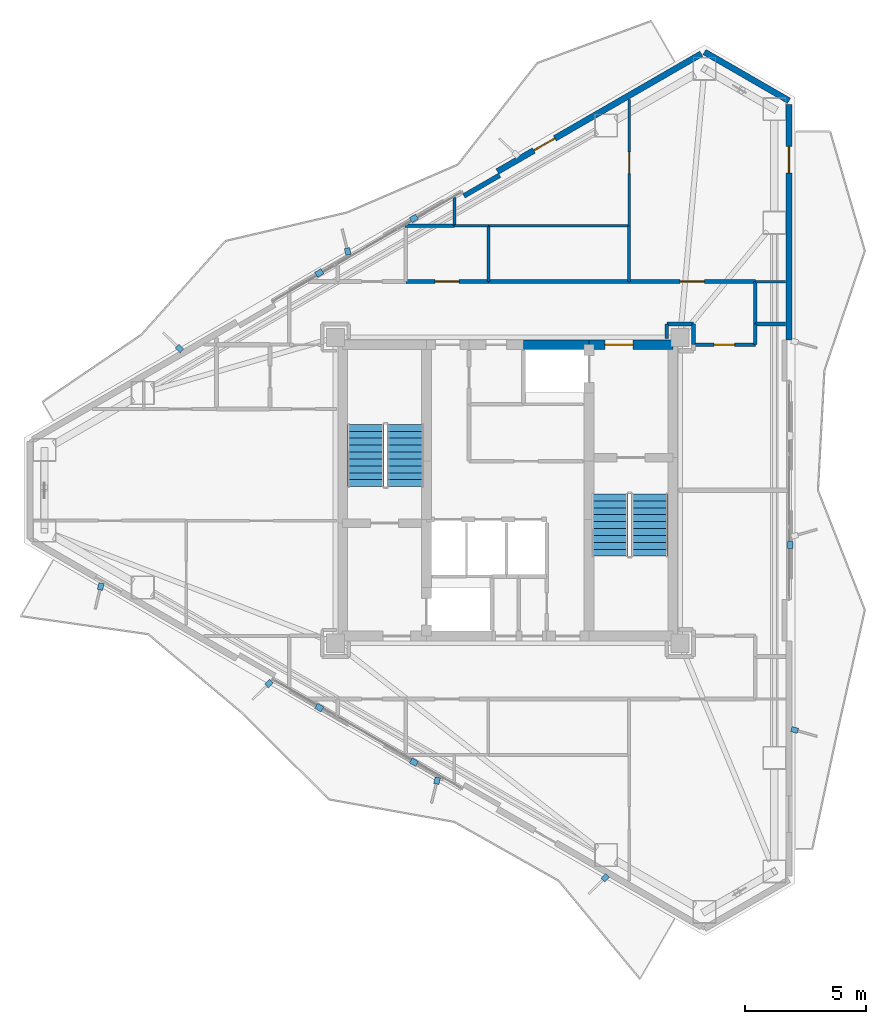
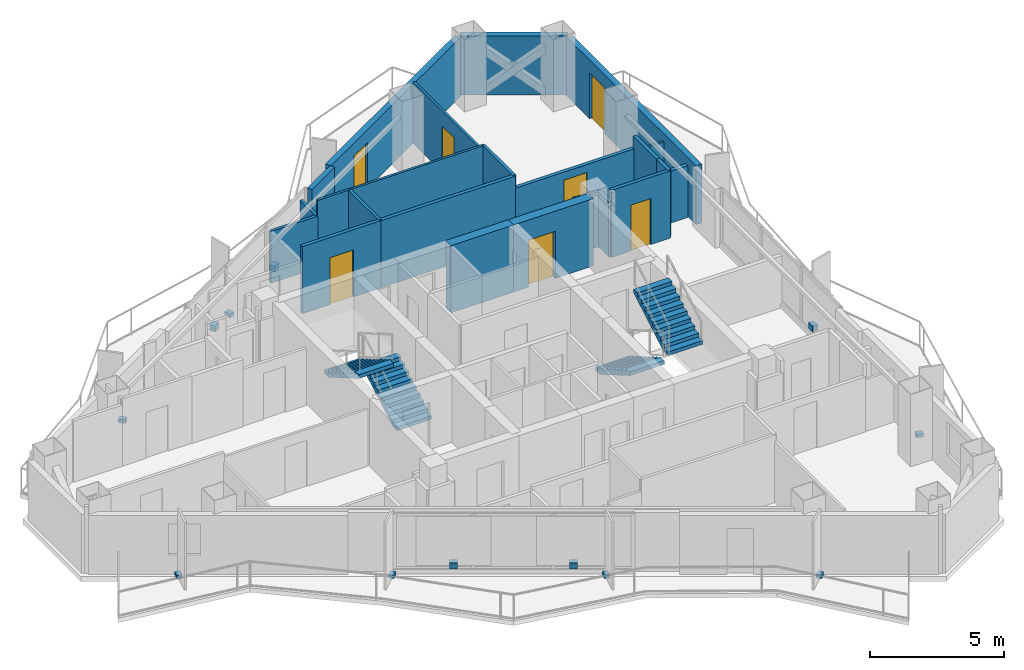
# One storey, part 19 of 22: 24 walls, 12 discrete accessories, 7 doors, 4 stair flights, 7 openings, 2 elements without a shape of their own.
"""IFC4 building model written with IfcOpenShell, lengths in metres."""

from ifc_helpers import new_model, si_unit, direction, frame, frame_2d, origin, origin_2d, place, context, subcontext, project, spatial, polyline, rectangle, outline, extrude, material, layer, layer_set, type_object, element, fill, aggregate, save


model = new_model("IFC4")

# Units and contexts
model_context = context("Model", 3, precision=1e-05, world=origin(), true_north=direction((0.0, 1.0)))
body_context = subcontext(model_context, "Body", "Model", "MODEL_VIEW")
ifc_project = project(units=[si_unit("LENGTHUNIT", "METRE"), si_unit("AREAUNIT", "SQUARE_METRE"), si_unit("VOLUMEUNIT", "CUBIC_METRE"), si_unit("PLANEANGLEUNIT", "RADIAN"), si_unit("MASSUNIT", "GRAM", prefix="KILO")], contexts=[model_context])

# Site, building, storey
site_placement = place(None, origin())
site = spatial("IfcSite", under=ifc_project, at=site_placement, CompositionType="ELEMENT")
building_placement = place(site_placement, origin())
building = spatial("IfcBuilding", under=site, at=building_placement, Name="Mersakhor Tower and Convention Hall", CompositionType="ELEMENT")
storey_placement = place(building_placement, frame((0.0, 0.0, 192.0)))
storey = spatial("IfcBuildingStorey", under=building, at=storey_placement, Name="L53", CompositionType="ELEMENT", Elevation=192.0)

# Wall
ifc_material_1 = material(Name="Precast concrete C40/50", Category="concrete")
ifc_layer_1 = layer(ifc_material_1, 0.25)
ifc_layer_set_1 = layer_set([ifc_layer_1], Name="Precast concrete C40/50")
wall_type_1 = type_object("IfcWallType", Name="WL-EXT-250", PredefinedType="SOLIDWALL", material=ifc_layer_set_1)
wall_1_placement = place(storey_placement, frame((37.10400390625, 44.81005859375, 0.0), z_axis=(0.0, 0.0, 1.0), x_axis=(0.866023907196, -0.500002592159, 0.0)))
element("IfcWall", 1, at=wall_1_placement, inside=storey, type_object=wall_type_1, Name="L53 Chamfer Braced Spandrel Wall C1", PredefinedType="SOLIDWALL", context=body_context, shape_type="SweptSolid", body=[
    extrude(rectangle(XDim=4.0234375, YDim=0.25, at=frame_2d((2.01171875, 0.0))), origin(), (0.0, 0.0, 1.0), 2.68994140625),
])

# Wall, opening, door
wall_2_placement = place(storey_placement, frame((28.57470703125, 39.885498046875, 0.0), z_axis=(0.0, 0.0, 1.0), x_axis=(0.866016233231, 0.500015883528, 0.0)))
wall_2 = element("IfcWall", 2, at=wall_2_placement, inside=storey, type_object=wall_type_1, Name="L53 Exterior Facade Wall F1-B3", PredefinedType="SOLIDWALL", context=body_context, shape_type="SweptSolid", body=[
    extrude(rectangle(XDim=9.698974609375, YDim=0.25, at=frame_2d((4.849609375, 0.0))), origin(), (0.0, 0.0, 1.0), 2.68994140625),
])
opening_1_placement = place(wall_2_placement, frame((1.72998046875, 0.0, 0.0)))
opening_1 = element("IfcOpeningElement", 3, at=opening_1_placement, cuts=wall_2, Name="Opening BD-01", PredefinedType="OPENING", context=body_context, shape_type="SweptSolid", body=[
    extrude(rectangle(XDim=1.0, YDim=2.10009765625, at=frame_2d((0.5, 1.050048828125))), frame((0.0, 0.135009765625, 0.0), z_axis=(0.0, -1.0, 0.0), x_axis=(1.0, 0.0, 0.0)), (0.0, 0.0, 1.0), 0.27001953125),
])
ifc_material_2 = material(Name="Thermally broken dark aluminium and safety glass", Category="aluminium")
door_type_1 = type_object("IfcDoorType", Name="DR-BAL-100x210", OperationType="NOTDEFINED", PredefinedType="DOOR", material=ifc_material_2)
door_1_placement = place(opening_1_placement, origin())
door_1 = element("IfcDoor", 4, at=door_1_placement, inside=storey, type_object=door_type_1, Name="L53 Balcony Terrace Door F1-B3", OperationType="SINGLE_SWING_LEFT", OverallHeight=2.10009765625, OverallWidth=1.0, PredefinedType="DOOR", context=body_context, shape_type="SweptSolid", body=[
    extrude(rectangle(XDim=1.0, YDim=2.10009765625, at=frame_2d((0.5, 1.050048828125))), frame((0.0, 0.02490234375, 0.0), z_axis=(0.0, -1.0, 0.0), x_axis=(1.0, 0.0, 0.0)), (0.0, 0.0, 1.0), 0.050048828125),
])
fill(opening_1, door_1)

wall_3_placement = place(storey_placement, frame((40.58837890625, 42.6484375, 0.0), z_axis=(0.0, 0.0, 1.0), x_axis=(0.0, -1.0, 0.0)))
wall_3 = element("IfcWall", 5, at=wall_3_placement, inside=storey, type_object=wall_type_1, Name="L53 Exterior Facade Wall F2-B1", PredefinedType="SOLIDWALL", context=body_context, shape_type="SweptSolid", body=[
    extrude(rectangle(XDim=9.698974609375, YDim=0.25, at=frame_2d((4.849609375, 0.0))), origin(), (0.0, 0.0, 1.0), 2.68994140625),
])
opening_2_placement = place(wall_3_placement, frame((1.72998046875, 0.0, 0.0)))
opening_2 = element("IfcOpeningElement", 6, at=opening_2_placement, cuts=wall_3, Name="Opening BD-02", PredefinedType="OPENING", context=body_context, shape_type="SweptSolid", body=[
    extrude(rectangle(XDim=1.10009765625, YDim=2.10009765625, at=frame_2d((0.550048828125, 1.050048828125))), frame((0.0, 0.135009765625, 0.0), z_axis=(0.0, -1.0, 0.0), x_axis=(1.0, 0.0, 0.0)), (0.0, 0.0, 1.0), 0.27001953125),
])
ifc_material_3 = material(Name="Thermally broken dark aluminium and safety glass", Category="aluminium")
door_type_2 = type_object("IfcDoorType", Name="DR-BAL-110x210", OperationType="NOTDEFINED", PredefinedType="DOOR", material=ifc_material_3)
door_2_placement = place(opening_2_placement, origin())
door_2 = element("IfcDoor", 7, at=door_2_placement, inside=storey, type_object=door_type_2, Name="L53 Balcony Terrace Door F2-B1", OperationType="SINGLE_SWING_RIGHT", OverallHeight=2.10009765625, OverallWidth=1.10009765625, PredefinedType="DOOR", context=body_context, shape_type="SweptSolid", body=[
    extrude(rectangle(XDim=1.10009765625, YDim=2.10009765625, at=frame_2d((0.550048828125, 1.050048828125))), frame((0.0, 0.02490234375, 0.0), z_axis=(0.0, -1.0, 0.0), x_axis=(1.0, 0.0, 0.0)), (0.0, 0.0, 1.0), 0.050048828125),
])
fill(opening_2, door_2)

# Walls
ifc_material_4 = material(Name="Precast concrete C40/50", Category="concrete")
ifc_layer_2 = layer(ifc_material_4, 0.199951171875)
ifc_layer_set_2 = layer_set([ifc_layer_2], Name="Precast concrete C40/50")
wall_type_2 = type_object("IfcWallType", Name="WL-PAR-200", PredefinedType="PARAPET", material=ifc_layer_set_2)
wall_4_placement = place(storey_placement, frame((27.1923828125, 38.879638671875, 0.0), z_axis=(0.0, 0.0, 1.0), x_axis=(0.866025371046, 0.500000056704, 0.0)))
element("IfcWall", 8, at=wall_4_placement, inside=storey, type_object=wall_type_2, Name="L53 Column Pier Cladding Wall F1-C2", PredefinedType="PARAPET", context=body_context, shape_type="SweptSolid", body=[
    extrude(rectangle(XDim=1.7001953125, YDim=0.199951171875, at=frame_2d((0.85009765625, 0.0))), origin(), (0.0, 0.0, 1.0), 2.68994140625),
])
ifc_material_5 = material(Name="Moisture-resistant acoustic drywall studwork", Category="other")
ifc_layer_3 = layer(ifc_material_5, 0.175048828125)
ifc_layer_set_3 = layer_set([ifc_layer_3], Name="Moisture-resistant acoustic drywall studwork")
wall_type_3 = type_object("IfcWallType", Name="WL-PLM-175", PredefinedType="PLUMBINGWALL", material=ifc_layer_set_3)
wall_5_placement = place(storey_placement, frame((39.199951171875, 33.60009765625, 0.0), z_axis=(0.0, 0.0, 1.0), x_axis=(1.0, 0.0, 0.0)))
element("IfcWall", 9, at=wall_5_placement, inside=storey, type_object=wall_type_3, Name="L53 Interior Partition Wall P-055", PredefinedType="PLUMBINGWALL", context=body_context, shape_type="SweptSolid", body=[
    extrude(rectangle(XDim=1.239501953125, YDim=0.175048828125, at=frame_2d((0.61962890625, 0.0))), origin(), (0.0, 0.0, 1.0), 2.364990234375),
])
ifc_material_6 = material(Name="Lightweight gypsum partition", Category="other")
ifc_layer_4 = layer(ifc_material_6, 0.10009765625)
ifc_layer_set_4 = layer_set([ifc_layer_4], Name="Lightweight gypsum partition")
wall_type_4 = type_object("IfcWallType", Name="WL-PRT-100", PredefinedType="PARTITIONING", material=ifc_layer_set_4)
wall_6_placement = place(storey_placement, frame((40.439453125, 35.35009765625, 0.0), z_axis=(0.0, 0.0, 1.0), x_axis=(-1.0, 0.0, 0.0)))
element("IfcWall", 10, at=wall_6_placement, inside=storey, type_object=wall_type_4, Name="L53 Interior Partition Wall P-068", PredefinedType="PARTITIONING", context=body_context, shape_type="SweptSolid", body=[
    extrude(rectangle(XDim=1.239501953125, YDim=0.10009765625, at=frame_2d((0.61962890625, 0.0))), origin(), (0.0, 0.0, 1.0), 2.364990234375),
])

# Wall, opening, door
wall_7_placement = place(storey_placement, frame((34.0, 37.64990234375, 0.0), z_axis=(0.0, 0.0, 1.0), x_axis=(0.0, 1.0, 0.0)))
wall_7 = element("IfcWall", 11, at=wall_7_placement, inside=storey, type_object=wall_type_4, Name="L53 Interior Partition Wall P-070", PredefinedType="PARTITIONING", context=body_context, shape_type="SweptSolid", body=[
    extrude(rectangle(XDim=5.19580078125, YDim=0.10009765625, at=frame_2d((2.597900390625, 0.0))), origin(), (0.0, 0.0, 1.0), 2.794677734375),
])
opening_3_placement = place(wall_7_placement, frame((2.14794921875, 0.0, 0.0)))
opening_3 = element("IfcOpeningElement", 12, at=opening_3_placement, cuts=wall_7, Name="Opening WD-01", PredefinedType="OPENING", context=body_context, shape_type="SweptSolid", body=[
    extrude(rectangle(XDim=0.89990234375, YDim=2.10009765625, at=frame_2d((0.449951171875, 1.050048828125))), frame((0.0, 0.06005859375, 0.0), z_axis=(0.0, -1.0, 0.0), x_axis=(1.0, 0.0, 0.0)), (0.0, 0.0, 1.0), 0.1201171875),
])
ifc_material_7 = material(Name="Solid-core hardwood leaf in painted steel frame", Category="steel")
door_type_3 = type_object("IfcDoorType", Name="DR-INT-WET-090x210", OperationType="NOTDEFINED", PredefinedType="DOOR", material=ifc_material_7)
door_3_placement = place(opening_3_placement, origin())
door_3 = element("IfcDoor", 13, at=door_3_placement, inside=storey, type_object=door_type_3, Name="L53 L53 North-East Quiet Focus Room to L53 Floor Residents Study Room 1-3 Door", OperationType="SINGLE_SWING_LEFT", OverallHeight=2.10009765625, OverallWidth=0.89990234375, PredefinedType="DOOR", context=body_context, shape_type="SweptSolid", body=[
    extrude(rectangle(XDim=0.89990234375, YDim=2.10009765625, at=frame_2d((0.449951171875, 1.050048828125))), frame((0.0, 0.02490234375, 0.0), z_axis=(0.0, -1.0, 0.0), x_axis=(1.0, 0.0, 0.0)), (0.0, 0.0, 1.0), 0.050048828125),
])
fill(opening_3, door_3)

# Walls
wall_8_placement = place(storey_placement, frame((26.800048828125, 37.64990234375, 0.0), z_axis=(0.0, 0.0, 1.0), x_axis=(1.0, 0.0, 0.0)))
element("IfcWall", 14, at=wall_8_placement, inside=storey, type_object=wall_type_4, Name="L53 Interior Partition Wall P-078", PredefinedType="PARTITIONING", context=body_context, shape_type="SweptSolid", body=[
    extrude(rectangle(XDim=1.39990234375, YDim=0.10009765625, at=frame_2d((0.699951171875, 0.0))), origin(), (0.0, 0.0, 1.0), 3.070068359375),
])
wall_9_placement = place(storey_placement, frame((34.0, 37.64990234375, 0.0), z_axis=(0.0, 0.0, 1.0), x_axis=(-1.0, 0.0, 0.0)))
element("IfcWall", 15, at=wall_9_placement, inside=storey, type_object=wall_type_4, Name="L53 Interior Partition Wall P-080", PredefinedType="PARTITIONING", context=body_context, shape_type="SweptSolid", body=[
    extrude(rectangle(XDim=5.800048828125, YDim=0.10009765625, at=frame_2d((2.89990234375, 0.0))), origin(), (0.0, 0.0, 1.0), 3.070068359375),
])
ifc_material_8 = material(Name="Gypsum board acoustic partition", Category="other")
ifc_layer_5 = layer(ifc_material_8, 0.125)
ifc_layer_set_5 = layer_set([ifc_layer_5], Name="Gypsum board acoustic partition")
wall_type_5 = type_object("IfcWallType", Name="WL-PRT-125", PredefinedType="PARTITIONING", material=ifc_layer_set_5)
wall_10_placement = place(storey_placement, frame((34.0, 35.35009765625, 0.0), z_axis=(0.0, 0.0, 1.0), x_axis=(0.0, 1.0, 0.0)))
element("IfcWall", 16, at=wall_10_placement, inside=storey, type_object=wall_type_5, Name="L53 Interior Partition Wall P-069", PredefinedType="PARTITIONING", context=body_context, shape_type="SweptSolid", body=[
    extrude(rectangle(XDim=2.2998046875, YDim=0.125, at=frame_2d((1.14990234375, 0.0))), origin(), (0.0, 0.0, 1.0), 3.070068359375),
])
wall_11_placement = place(storey_placement, frame((24.771484375, 37.64990234375, 0.0), z_axis=(0.0, 0.0, 1.0), x_axis=(1.0, 0.0, 0.0)))
element("IfcWall", 17, at=wall_11_placement, inside=storey, type_object=wall_type_5, Name="L53 Interior Partition Wall P-077", PredefinedType="PARTITIONING", context=body_context, shape_type="SweptSolid", body=[
    extrude(rectangle(XDim=2.028564453125, YDim=0.125, at=frame_2d((1.01416015625, 0.0))), origin(), (0.0, 0.0, 1.0), 2.364990234375),
])
wall_12_placement = place(storey_placement, frame((28.199951171875, 37.64990234375, 0.0), z_axis=(0.0, 0.0, 1.0), x_axis=(0.0, -1.0, 0.0)))
element("IfcWall", 18, at=wall_12_placement, inside=storey, type_object=wall_type_5, Name="L53 Interior Partition Wall P-079", PredefinedType="PARTITIONING", context=body_context, shape_type="SweptSolid", body=[
    extrude(rectangle(XDim=2.2998046875, YDim=0.125, at=frame_2d((1.14990234375, 0.0))), origin(), (0.0, 0.0, 1.0), 3.070068359375),
])
wall_13_placement = place(storey_placement, frame((26.800048828125, 37.64990234375, 0.0), z_axis=(0.0, 0.0, 1.0), x_axis=(0.0, 1.0, 0.0)))
element("IfcWall", 19, at=wall_13_placement, inside=storey, type_object=wall_type_5, Name="L53 Interior Partition Wall P-081", PredefinedType="PARTITIONING", context=body_context, shape_type="SweptSolid", body=[
    extrude(rectangle(XDim=1.167236328125, YDim=0.125, at=frame_2d((0.58349609375, 0.0))), origin(), (0.0, 0.0, 1.0), 2.364990234375),
])
ifc_material_9 = material(Name="Fire-rated gypsum board stud partition", Category="other")
ifc_layer_6 = layer(ifc_material_9, 0.14990234375)
ifc_layer_set_6 = layer_set([ifc_layer_6], Name="Fire-rated gypsum board stud partition")
wall_type_6 = type_object("IfcWallType", Name="WL-PRT-150", PredefinedType="PARTITIONING", material=ifc_layer_set_6)
wall_14_placement = place(storey_placement, frame((39.199951171875, 35.35009765625, 0.0), z_axis=(0.0, 0.0, 1.0), x_axis=(0.0, -1.0, 0.0)))
element("IfcWall", 20, at=wall_14_placement, inside=storey, type_object=wall_type_6, Name="L53 Interior Partition Wall P-016", PredefinedType="PARTITIONING", context=body_context, shape_type="SweptSolid", body=[
    extrude(rectangle(XDim=1.75, YDim=0.14990234375, at=frame_2d((0.875, 0.0))), origin(), (0.0, 0.0, 1.0), 3.070068359375),
])
wall_15_placement = place(storey_placement, frame((39.199951171875, 33.60009765625, 0.0), z_axis=(0.0, 0.0, 1.0), x_axis=(0.0, -1.0, 0.0)))
element("IfcWall", 21, at=wall_15_placement, inside=storey, type_object=wall_type_6, Name="L53 Interior Partition Wall P-017", PredefinedType="PARTITIONING", context=body_context, shape_type="SweptSolid", body=[
    extrude(rectangle(XDim=0.85009765625, YDim=0.14990234375, at=frame_2d((0.425048828125, 0.0))), origin(), (0.0, 0.0, 1.0), 3.070068359375),
])

# Wall, opening, door
wall_16_placement = place(storey_placement, frame((39.199951171875, 32.75, 0.0), z_axis=(0.0, 0.0, 1.0), x_axis=(-1.0, 0.0, 0.0)))
wall_16 = element("IfcWall", 22, at=wall_16_placement, inside=storey, type_object=wall_type_6, Name="L53 Interior Partition Wall P-018", PredefinedType="PARTITIONING", context=body_context, shape_type="SweptSolid", body=[
    extrude(rectangle(XDim=2.550048828125, YDim=0.14990234375, at=frame_2d((1.27490234375, 0.0))), origin(), (0.0, 0.0, 1.0), 3.070068359375),
])
opening_4_placement = place(wall_16_placement, frame((0.85009765625, 0.0, 0.0)))
opening_4 = element("IfcOpeningElement", 23, at=opening_4_placement, cuts=wall_16, Name="Opening SVD-01", PredefinedType="OPENING", context=body_context, shape_type="SweptSolid", body=[
    extrude(rectangle(XDim=0.85009765625, YDim=2.10009765625, at=frame_2d((0.425048828125, 1.050048828125))), frame((0.0, 0.0849609375, 0.0), z_axis=(0.0, -1.0, 0.0), x_axis=(1.0, 0.0, 0.0)), (0.0, 0.0, 1.0), 0.169921875),
])
ifc_material_10 = material(Name="Fire-rated hardwood leaf and painted steel frame", Category="steel")
door_type_4 = type_object("IfcDoorType", Name="DR-INT-SVC-085x210", OperationType="NOTDEFINED", PredefinedType="DOOR", material=ifc_material_10)
door_4_placement = place(opening_4_placement, origin())
door_4 = element("IfcDoor", 24, at=door_4_placement, inside=storey, type_object=door_type_4, Name="L53 Residential North Gallery Corridor to L53 East Wing Accessible Toilet WC Door", OperationType="SINGLE_SWING_RIGHT", OverallHeight=2.10009765625, OverallWidth=0.85009765625, PredefinedType="DOOR", context=body_context, shape_type="SweptSolid", body=[
    extrude(rectangle(XDim=0.85009765625, YDim=2.10009765625, at=frame_2d((0.425048828125, 1.050048828125))), frame((0.0, 0.02490234375, 0.0), z_axis=(0.0, -1.0, 0.0), x_axis=(1.0, 0.0, 0.0)), (0.0, 0.0, 1.0), 0.050048828125),
])
fill(opening_4, door_4)

# Walls
wall_17_placement = place(storey_placement, frame((36.64990234375, 32.75, 0.0), z_axis=(0.0, 0.0, 1.0), x_axis=(0.0, 1.0, 0.0)))
element("IfcWall", 25, at=wall_17_placement, inside=storey, type_object=wall_type_6, Name="L53 Interior Partition Wall P-019", PredefinedType="PARTITIONING", context=body_context, shape_type="SweptSolid", body=[
    extrude(rectangle(XDim=0.85009765625, YDim=0.14990234375, at=frame_2d((0.425048828125, 0.0))), origin(), (0.0, 0.0, 1.0), 2.518310546875),
])
wall_18_placement = place(storey_placement, frame((36.64990234375, 33.60009765625, 0.0), z_axis=(0.0, 0.0, 1.0), x_axis=(-1.0, 0.0, 0.0)))
element("IfcWall", 26, at=wall_18_placement, inside=storey, type_object=wall_type_6, Name="L53 Interior Partition Wall P-020", PredefinedType="PARTITIONING", context=body_context, shape_type="SweptSolid", body=[
    extrude(rectangle(XDim=1.099853515625, YDim=0.14990234375, at=frame_2d((0.5498046875, 0.0))), origin(), (0.0, 0.0, 1.0), 2.518310546875),
])
wall_19_placement = place(storey_placement, frame((35.550048828125, 33.60009765625, 0.0), z_axis=(0.0, 0.0, 1.0), x_axis=(0.0, -1.0, 0.0)))
element("IfcWall", 27, at=wall_19_placement, inside=storey, type_object=wall_type_6, Name="L53 Interior Partition Wall P-021", PredefinedType="PARTITIONING", context=body_context, shape_type="SweptSolid", body=[
    extrude(rectangle(XDim=0.60009765625, YDim=0.14990234375, at=frame_2d((0.300048828125, 0.0))), origin(), (0.0, 0.0, 1.0), 2.594970703125),
])

# Wall, opening, door
wall_20_placement = place(storey_placement, frame((24.800048828125, 35.35009765625, 0.0), z_axis=(0.0, 0.0, 1.0), x_axis=(1.0, 0.0, 0.0)))
wall_20 = element("IfcWall", 28, at=wall_20_placement, inside=storey, type_object=wall_type_6, Name="L53 Interior Partition Wall P-029", PredefinedType="PARTITIONING", context=body_context, shape_type="SweptSolid", body=[
    extrude(rectangle(XDim=3.39990234375, YDim=0.14990234375, at=frame_2d((1.699951171875, 0.0))), origin(), (0.0, 0.0, 1.0), 3.070068359375),
])
opening_5_placement = place(wall_20_placement, frame((1.199951171875, 0.0, 0.0)))
opening_5 = element("IfcOpeningElement", 29, at=opening_5_placement, cuts=wall_20, Name="Opening FD-01", PredefinedType="OPENING", context=body_context, shape_type="SweptSolid", body=[
    extrude(rectangle(XDim=1.0, YDim=2.14990234375, at=frame_2d((0.5, 1.074951171875))), frame((0.0, 0.0849609375, 0.0), z_axis=(0.0, -1.0, 0.0), x_axis=(1.0, 0.0, 0.0)), (0.0, 0.0, 1.0), 0.169921875),
])
ifc_material_11 = material(Name="Fire-rated hardwood leaf and painted steel frame", Category="steel")
door_type_5 = type_object("IfcDoorType", Name="DR-INT-FLT-100x215", OperationType="NOTDEFINED", PredefinedType="DOOR", material=ifc_material_11)
door_5_placement = place(opening_5_placement, origin())
door_5 = element("IfcDoor", 30, at=door_5_placement, inside=storey, type_object=door_type_5, Name="L53 Residential North Gallery Corridor to L53 Floor Shared Tea Pantry 1-2 Door", OperationType="SINGLE_SWING_RIGHT", OverallHeight=2.14990234375, OverallWidth=1.0, PredefinedType="DOOR", context=body_context, shape_type="SweptSolid", body=[
    extrude(rectangle(XDim=1.0, YDim=2.14990234375, at=frame_2d((0.5, 1.074951171875))), frame((0.0, 0.02490234375, 0.0), z_axis=(0.0, -1.0, 0.0), x_axis=(1.0, 0.0, 0.0)), (0.0, 0.0, 1.0), 0.050048828125),
])
fill(opening_5, door_5)

# Wall
wall_21_placement = place(storey_placement, frame((28.199951171875, 35.35009765625, 0.0), z_axis=(0.0, 0.0, 1.0), x_axis=(1.0, 0.0, 0.0)))
element("IfcWall", 31, at=wall_21_placement, inside=storey, type_object=wall_type_6, Name="L53 Interior Partition Wall P-030", PredefinedType="PARTITIONING", context=body_context, shape_type="SweptSolid", body=[
    extrude(rectangle(XDim=5.800048828125, YDim=0.14990234375, at=frame_2d((2.89990234375, 0.0))), origin(), (0.0, 0.0, 1.0), 3.070068359375),
])

# Wall, opening, door
wall_22_placement = place(storey_placement, frame((34.0, 35.35009765625, 0.0), z_axis=(0.0, 0.0, 1.0), x_axis=(1.0, 0.0, 0.0)))
wall_22 = element("IfcWall", 32, at=wall_22_placement, inside=storey, type_object=wall_type_6, Name="L53 Interior Partition Wall P-031", PredefinedType="PARTITIONING", context=body_context, shape_type="SweptSolid", body=[
    extrude(rectangle(XDim=5.199951171875, YDim=0.14990234375, at=frame_2d((2.60009765625, 0.0))), origin(), (0.0, 0.0, 1.0), 2.518310546875),
])
opening_6_placement = place(wall_22_placement, frame((2.10009765625, 0.0, 0.0)))
opening_6 = element("IfcOpeningElement", 33, at=opening_6_placement, cuts=wall_22, Name="Opening FD-01", PredefinedType="OPENING", context=body_context, shape_type="SweptSolid", body=[
    extrude(rectangle(XDim=1.0, YDim=2.14990234375, at=frame_2d((0.5, 1.074951171875))), frame((0.0, 0.0849609375, 0.0), z_axis=(0.0, -1.0, 0.0), x_axis=(1.0, 0.0, 0.0)), (0.0, 0.0, 1.0), 0.169921875),
])
door_6_placement = place(opening_6_placement, origin())
door_6 = element("IfcDoor", 34, at=door_6_placement, inside=storey, type_object=door_type_5, Name="L53 Residential North Gallery Corridor to L53 North-East Quiet Focus Room Door", OperationType="SINGLE_SWING_RIGHT", OverallHeight=2.14990234375, OverallWidth=1.0, PredefinedType="DOOR", context=body_context, shape_type="SweptSolid", body=[
    extrude(rectangle(XDim=1.0, YDim=2.14990234375, at=frame_2d((0.5, 1.074951171875))), frame((0.0, 0.02490234375, 0.0), z_axis=(0.0, -1.0, 0.0), x_axis=(1.0, 0.0, 0.0)), (0.0, 0.0, 1.0), 0.050048828125),
])
fill(opening_6, door_6)

# Wall
ifc_material_12 = material(Name="Concrete C60/75", Category="concrete")
ifc_layer_7 = layer(ifc_material_12, 0.39990234375)
ifc_layer_set_7 = layer_set([ifc_layer_7], Name="Concrete C60/75")
wall_type_7 = type_object("IfcWallType", Name="WL-SHR-400", PredefinedType="SHEAR", material=ifc_layer_set_7)
wall_23_placement = place(storey_placement, frame((29.64990234375, 32.75, 0.0), z_axis=(0.0, 0.0, 1.0), x_axis=(1.0, 0.0, 0.0)))
element("IfcWall", 35, at=wall_23_placement, inside=storey, type_object=wall_type_7, Name="L53 Core Wall CW-N3", PredefinedType="SHEAR", context=body_context, shape_type="SweptSolid", body=[
    extrude(rectangle(XDim=2.7001953125, YDim=0.39990234375, at=frame_2d((1.35009765625, 0.0))), origin(), (0.0, 0.0, 1.0), 3.070068359375),
])

# Wall, opening, door
wall_24_placement = place(storey_placement, frame((32.35009765625, 32.75, 0.0), z_axis=(0.0, 0.0, 1.0), x_axis=(1.0, 0.0, 0.0)))
wall_24 = element("IfcWall", 36, at=wall_24_placement, inside=storey, type_object=wall_type_7, Name="L53 Core Wall CW-N4", PredefinedType="SHEAR", context=body_context, shape_type="SweptSolid", body=[
    extrude(rectangle(XDim=3.449951171875, YDim=0.39990234375, at=frame_2d((1.72509765625, 0.0))), origin(), (0.0, 0.0, 1.0), 3.070068359375),
])
opening_7_placement = place(wall_24_placement, frame((0.64990234375, 0.0, 0.0)))
opening_7 = element("IfcOpeningElement", 37, at=opening_7_placement, cuts=wall_24, Name="Opening SD-01", PredefinedType="OPENING", context=body_context, shape_type="SweptSolid", body=[
    extrude(rectangle(XDim=1.14990234375, YDim=2.14990234375, at=frame_2d((0.574951171875, 1.074951171875))), frame((0.0, 0.2099609375, 0.0), z_axis=(0.0, -1.0, 0.0), x_axis=(1.0, 0.0, 0.0)), (0.0, 0.0, 1.0), 0.419921875),
])
ifc_material_13 = material(Name="Fire-rated hardwood leaf and painted steel frame", Category="steel")
door_type_6 = type_object("IfcDoorType", Name="DR-INT-STAIR-115x215", OperationType="NOTDEFINED", PredefinedType="DOOR", material=ifc_material_13)
door_7_placement = place(opening_7_placement, origin())
door_7 = element("IfcDoor", 38, at=door_7_placement, inside=storey, type_object=door_type_6, Name="L53 Firefighting Lobby East Fire Door", OperationType="SINGLE_SWING_RIGHT", OverallHeight=2.14990234375, OverallWidth=1.14990234375, PredefinedType="DOOR", context=body_context, shape_type="SweptSolid", body=[
    extrude(rectangle(XDim=1.14990234375, YDim=2.14990234375, at=frame_2d((0.574951171875, 1.074951171875))), frame((0.0, 0.02490234375, 0.0), z_axis=(0.0, -1.0, 0.0), x_axis=(1.0, 0.0, 0.0)), (0.0, 0.0, 1.0), 0.050048828125),
])
fill(opening_7, door_7)

# Stair, stair flights
ifc_material_14 = material(Name="Concrete C45/55", Category="concrete")
stair_type = type_object("IfcStairType", Name="ST-TWR-20R", PredefinedType="HALF_TURN_STAIR", material=ifc_material_14)
stair_1_placement = place(storey_placement, origin())
stair_1 = element("IfcStair", 39, at=stair_1_placement, inside=storey, type_object=stair_type, Name="L53 Tower Protected Exit Stair ST-1", PredefinedType="HALF_TURN_STAIR")
ifc_material_15 = material(Name="Concrete C45/55", Category="concrete")
stair_flight_type = type_object("IfcStairFlightType", Name="SFL-TWR-20R", PredefinedType="STRAIGHT", material=ifc_material_15)
stair_flight_1_placement = place(storey_placement, frame((24.800048828125, 26.89990234375, 0.0), z_axis=(0.0, 0.0, 1.0), x_axis=(0.0, 1.0, 0.0)))
stair_flight_1 = element("IfcStairFlight", 40, at=stair_flight_1_placement, type_object=stair_flight_type, Name="ST-1 flight 1", NumberOfRisers=10, NumberOfTreads=9, PredefinedType="STRAIGHT", RiserHeight=0.165, TreadLength=0.285, context=body_context, shape_type="SweptSolid", body=[
    extrude(outline(polyline([(0.0, 0.0), (0.0, 0.1650390625), (0.284912109375, 0.1650390625), (0.284912109375, 0.330078125), (0.570068359375, 0.330078125), (0.570068359375, 0.4951171875), (0.85498046875, 0.4951171875), (0.85498046875, 0.659912109375), (1.139892578125, 0.659912109375), (1.139892578125, 0.824951171875), (1.425048828125, 0.824951171875), (1.425048828125, 0.989990234375), (1.7099609375, 0.989990234375), (1.7099609375, 1.155029296875), (1.9951171875, 1.155029296875), (1.9951171875, 1.320068359375), (2.280029296875, 1.320068359375), (2.280029296875, 1.485107421875), (2.56494140625, 1.485107421875), (2.56494140625, 1.64990234375), (2.56494140625, 1.311767578125), (0.299072265625, 0.0), (0.0, 0.0)])), frame((0.0, 0.75, 0.0), z_axis=(0.0, -1.0, 0.0), x_axis=(1.0, 0.0, 0.0)), (0.0, 0.0, 1.0), 1.5),
])
stair_flight_2_placement = place(storey_placement, frame((23.14990234375, 29.465087890625, 1.64990234375), z_axis=(0.0, 0.0, 1.0), x_axis=(0.0, -1.0, 0.0)))
stair_flight_2 = element("IfcStairFlight", 41, at=stair_flight_2_placement, type_object=stair_flight_type, Name="ST-1 flight 2", NumberOfRisers=10, NumberOfTreads=9, PredefinedType="STRAIGHT", RiserHeight=0.165, TreadLength=0.285, context=body_context, shape_type="SweptSolid", body=[
    extrude(outline(polyline([(0.0, 0.0), (0.0, 0.1650390625), (0.284912109375, 0.1650390625), (0.284912109375, 0.330078125), (0.570068359375, 0.330078125), (0.570068359375, 0.4951171875), (0.85498046875, 0.4951171875), (0.85498046875, 0.659912109375), (1.139892578125, 0.659912109375), (1.139892578125, 0.824951171875), (1.425048828125, 0.824951171875), (1.425048828125, 0.989990234375), (1.7099609375, 0.989990234375), (1.7099609375, 1.155029296875), (1.9951171875, 1.155029296875), (1.9951171875, 1.320068359375), (2.280029296875, 1.320068359375), (2.280029296875, 1.485107421875), (2.56494140625, 1.485107421875), (2.56494140625, 1.64990234375), (2.56494140625, 1.311767578125), (0.299072265625, 0.0), (0.0, 0.0)])), frame((0.0, 0.75, 0.0), z_axis=(0.0, -1.0, 0.0), x_axis=(1.0, 0.0, 0.0)), (0.0, 0.0, 1.0), 1.5),
])
aggregate(stair_1, [stair_flight_1, stair_flight_2])

stair_2_placement = place(storey_placement, origin())
stair_2 = element("IfcStair", 42, at=stair_2_placement, inside=storey, type_object=stair_type, Name="L53 Tower Protected Exit Stair ST-2", PredefinedType="HALF_TURN_STAIR")
stair_flight_3_placement = place(storey_placement, frame((33.199951171875, 26.60009765625, 0.0), z_axis=(0.0, 0.0, 1.0), x_axis=(0.0, -1.0, 0.0)))
stair_flight_3 = element("IfcStairFlight", 43, at=stair_flight_3_placement, type_object=stair_flight_type, Name="ST-2 flight 1", NumberOfRisers=10, NumberOfTreads=9, PredefinedType="STRAIGHT", RiserHeight=0.165, TreadLength=0.285, context=body_context, shape_type="SweptSolid", body=[
    extrude(outline(polyline([(0.0, 0.0), (0.0, 0.1650390625), (0.284912109375, 0.1650390625), (0.284912109375, 0.330078125), (0.570068359375, 0.330078125), (0.570068359375, 0.4951171875), (0.85498046875, 0.4951171875), (0.85498046875, 0.659912109375), (1.139892578125, 0.659912109375), (1.139892578125, 0.824951171875), (1.425048828125, 0.824951171875), (1.425048828125, 0.989990234375), (1.7099609375, 0.989990234375), (1.7099609375, 1.155029296875), (1.9951171875, 1.155029296875), (1.9951171875, 1.320068359375), (2.280029296875, 1.320068359375), (2.280029296875, 1.485107421875), (2.56494140625, 1.485107421875), (2.56494140625, 1.64990234375), (2.56494140625, 1.311767578125), (0.299072265625, 0.0), (0.0, 0.0)])), frame((0.0, 0.75, 0.0), z_axis=(0.0, -1.0, 0.0), x_axis=(1.0, 0.0, 0.0)), (0.0, 0.0, 1.0), 1.5),
])
stair_flight_4_placement = place(storey_placement, frame((34.85009765625, 24.034912109375, 1.64990234375), z_axis=(0.0, 0.0, 1.0), x_axis=(0.0, 1.0, 0.0)))
stair_flight_4 = element("IfcStairFlight", 44, at=stair_flight_4_placement, type_object=stair_flight_type, Name="ST-2 flight 2", NumberOfRisers=10, NumberOfTreads=9, PredefinedType="STRAIGHT", RiserHeight=0.165, TreadLength=0.285, context=body_context, shape_type="SweptSolid", body=[
    extrude(outline(polyline([(0.0, 0.0), (0.0, 0.1650390625), (0.284912109375, 0.1650390625), (0.284912109375, 0.330078125), (0.570068359375, 0.330078125), (0.570068359375, 0.4951171875), (0.85498046875, 0.4951171875), (0.85498046875, 0.659912109375), (1.139892578125, 0.659912109375), (1.139892578125, 0.824951171875), (1.425048828125, 0.824951171875), (1.425048828125, 0.989990234375), (1.7099609375, 0.989990234375), (1.7099609375, 1.155029296875), (1.9951171875, 1.155029296875), (1.9951171875, 1.320068359375), (2.280029296875, 1.320068359375), (2.280029296875, 1.485107421875), (2.56494140625, 1.485107421875), (2.56494140625, 1.64990234375), (2.56494140625, 1.311767578125), (0.299072265625, 0.0), (0.0, 0.0)])), frame((0.0, 0.75, 0.0), z_axis=(0.0, -1.0, 0.0), x_axis=(1.0, 0.0, 0.0)), (0.0, 0.0, 1.0), 1.5),
])
aggregate(stair_2, [stair_flight_3, stair_flight_4])

# Discrete accessories
ifc_material_16 = material(Name="Galvanised steel bracket", Category="steel")
ifc_layer_8 = layer(ifc_material_16, 0.02001953125)
ifc_layer_set_8 = layer_set([ifc_layer_8], Name="Galvanised steel bracket")
discrete_accessory_type = type_object("IfcDiscreteAccessoryType", Name="ACC-BRK-STL", PredefinedType="BRACKET", material=ifc_layer_set_8)
for number, where, z_axis, x_axis, name in (
    (45, (21.232421875, 35.704345703125, 0.2900390625), (0.0, 0.0, 1.0), (0.866025403784, 0.5, 0.0), "L53 Solar Screen Outrigger Bracket BRK-1-1"),
    (46, (25.129150390625, 37.9541015625, 0.2900390625), (0.0, 0.0, 1.0), (0.866025403784, 0.5, 0.0), "L53 Solar Screen Outrigger Bracket BRK-1-2"),
):
    element("IfcDiscreteAccessory", number, at=place(storey_placement, frame(where, z_axis=z_axis, x_axis=x_axis)), inside=storey, type_object=discrete_accessory_type, Name=name, PredefinedType="BRACKET", context=body_context, shape_type="SweptSolid", body=[
        extrude(rectangle(XDim=0.300048828125, YDim=0.239990234375, at=origin_2d()), origin(), (0.0, 0.0, 1.0), 0.260009765625),
    ])
for number, where, z_axis, x_axis, name in (
    (47, (15.47607421875, 32.588623046875, -0.02001953125), (0.0, 0.0, 1.0), (-0.719339800339, 0.694658370459, 0.0), "L53 Facade Fin Base Cleat Bracket FBRK-1-1"),
    (48, (22.404296875, 36.588623046875, -0.02001953125), (0.0, 0.0, 1.0), (-0.2419218956, 0.970295726276, 0.0), "L53 Facade Fin Base Cleat Bracket FBRK-1-2"),
):
    element("IfcDiscreteAccessory", number, at=place(storey_placement, frame(where, z_axis=z_axis, x_axis=x_axis)), inside=storey, type_object=discrete_accessory_type, Name=name, PredefinedType="BRACKET", context=body_context, shape_type="SweptSolid", body=[
        extrude(rectangle(XDim=0.280029296875, YDim=0.219970703125, at=origin_2d()), origin(), (0.0, 0.0, 1.0), 0.159912109375),
    ])
discrete_accessory_1_placement = place(storey_placement, frame((40.638427734375, 24.500244140625, 0.2900390625), z_axis=(0.0, 0.0, 1.0), x_axis=(0.0, -1.0, 0.0)))
element("IfcDiscreteAccessory", 49, at=discrete_accessory_1_placement, inside=storey, type_object=discrete_accessory_type, Name="L53 Solar Screen Outrigger Bracket BRK-2-2", PredefinedType="BRACKET", context=body_context, shape_type="SweptSolid", body=[
    extrude(rectangle(XDim=0.300048828125, YDim=0.239990234375, at=origin_2d()), origin(), (0.0, 0.0, 1.0), 0.260009765625),
])
discrete_accessory_2_placement = place(storey_placement, frame((40.818359375, 16.8759765625, -0.02001953125), z_axis=(0.0, 0.0, 1.0), x_axis=(0.961261695938, -0.275637355817, 0.0)))
element("IfcDiscreteAccessory", 50, at=discrete_accessory_2_placement, inside=storey, type_object=discrete_accessory_type, Name="L53 Facade Fin Base Cleat Bracket FBRK-2-3", PredefinedType="BRACKET", context=body_context, shape_type="SweptSolid", body=[
    extrude(rectangle(XDim=0.280029296875, YDim=0.219970703125, at=origin_2d()), origin(), (0.0, 0.0, 1.0), 0.159912109375),
])
for number, where, z_axis, x_axis, name in (
    (51, (25.129150390625, 15.5458984375, 0.2900390625), (0.0, 0.0, 1.0), (-0.866025403784, 0.5, 0.0), "L53 Solar Screen Outrigger Bracket BRK-3-1"),
    (52, (21.232421875, 17.795654296875, 0.2900390625), (0.0, 0.0, 1.0), (-0.866025403784, 0.5, 0.0), "L53 Solar Screen Outrigger Bracket BRK-3-2"),
):
    element("IfcDiscreteAccessory", number, at=place(storey_placement, frame(where, z_axis=z_axis, x_axis=x_axis)), inside=storey, type_object=discrete_accessory_type, Name=name, PredefinedType="BRACKET", context=body_context, shape_type="SweptSolid", body=[
        extrude(rectangle(XDim=0.300048828125, YDim=0.239990234375, at=origin_2d()), origin(), (0.0, 0.0, 1.0), 0.260009765625),
    ])
for number, where, z_axis, x_axis, name in (
    (53, (33.014892578125, 10.785400390625, -0.02001953125), (0.0, 0.0, 1.0), (-0.719339800339, -0.694658370459, 0.0), "L53 Facade Fin Base Cleat Bracket FBRK-3-1"),
    (54, (26.086669921875, 14.785400390625, -0.02001953125), (0.0, 0.0, 1.0), (-0.2419218956, -0.970295726276, 0.0), "L53 Facade Fin Base Cleat Bracket FBRK-3-2"),
    (55, (19.158447265625, 18.785400390625, -0.02001953125), (0.0, 0.0, 1.0), (-0.719339800339, -0.694658370459, 0.0), "L53 Facade Fin Base Cleat Bracket FBRK-3-3"),
    (56, (12.230224609375, 22.785400390625, -0.02001953125), (0.0, 0.0, 1.0), (-0.2419218956, -0.970295726276, 0.0), "L53 Facade Fin Base Cleat Bracket FBRK-3-4"),
):
    element("IfcDiscreteAccessory", number, at=place(storey_placement, frame(where, z_axis=z_axis, x_axis=x_axis)), inside=storey, type_object=discrete_accessory_type, Name=name, PredefinedType="BRACKET", context=body_context, shape_type="SweptSolid", body=[
        extrude(rectangle(XDim=0.280029296875, YDim=0.219970703125, at=origin_2d()), origin(), (0.0, 0.0, 1.0), 0.159912109375),
    ])

save(model, "model.ifc")
